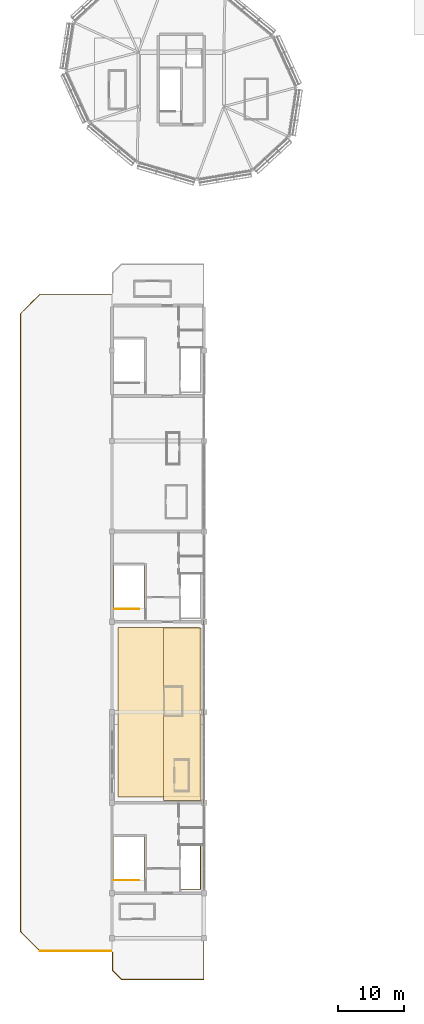
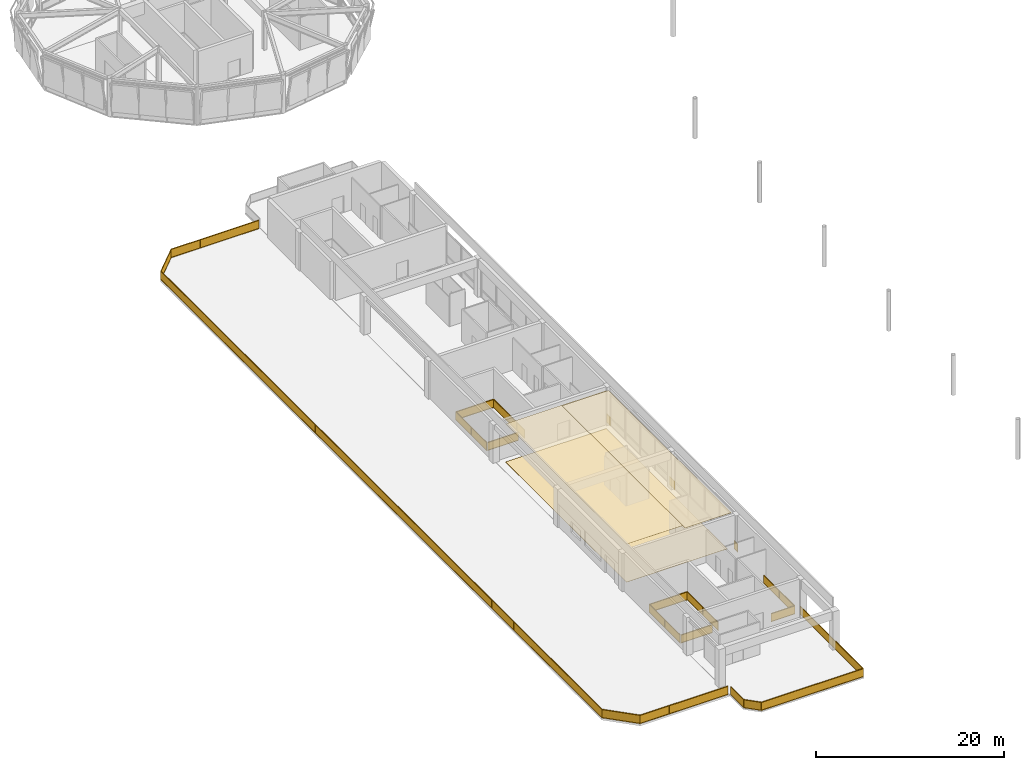
# One storey, part 106 of 113: 12 railings, 3 coverings.
"""IFC4 building model written with IfcOpenShell, lengths in metres."""

from ifc_helpers import new_model, si_unit, direction, frame, origin, origin_2d, place, context, subcontext, project, spatial, polyline, rectangle, outline, extrude, material, layer, layer_set, type_object, element, save


model = new_model("IFC4")

# Units and contexts
model_context = context("Model", 3, precision=1e-05, world=origin(), true_north=direction((0.0, 1.0)))
body_context = subcontext(model_context, "Body", "Model", "MODEL_VIEW")
ifc_project = project(units=[si_unit("LENGTHUNIT", "METRE"), si_unit("AREAUNIT", "SQUARE_METRE"), si_unit("VOLUMEUNIT", "CUBIC_METRE"), si_unit("PLANEANGLEUNIT", "RADIAN"), si_unit("MASSUNIT", "GRAM", prefix="KILO")], contexts=[model_context])

# Site, building, storey
site_placement = place(None, origin())
site = spatial("IfcSite", under=ifc_project, at=site_placement, CompositionType="ELEMENT")
building_placement = place(site_placement, origin())
building = spatial("IfcBuilding", under=site, at=building_placement, Name="Linyun Crest Stadium", CompositionType="ELEMENT")
storey_placement = place(building_placement, frame((0.0, 0.0, 26.39990234375)))
storey = spatial("IfcBuildingStorey", under=building, at=storey_placement, Name="L06", CompositionType="ELEMENT", Elevation=26.39990234375)

# Coverings
ifc_material_1 = material(Name="Perforated acoustic mineral-fibre ceiling")
ifc_layer_1 = layer(ifc_material_1, 0.02490234375)
ifc_layer_set_1 = layer_set([ifc_layer_1], Name="Perforated acoustic mineral-fibre ceiling")
covering_type_1 = type_object("IfcCoveringType", Name="CLG01", PredefinedType="CEILING", material=ifc_layer_set_1)
covering_1_placement = place(storey_placement, frame((0.0, 0.0, 4.940185546875)))
element("IfcCovering", 1, at=covering_1_placement, inside=storey, type_object=covering_type_1, Name="Suspended acoustic ceiling CLG01 56", PredefinedType="CEILING", context=body_context, shape_type="SweptSolid", body=[
    extrude(outline(polyline([(-83.10009765625, -24.5), (-70.699951171875, -24.5), (-70.699951171875, 1.300048828125), (-83.10009765625, 1.300048828125), (-83.10009765625, -24.5)])), origin(), (0.0, 0.0, 1.0), 0.02490234375),
])
ifc_material_2 = material(Name="Anodized aluminium baffle acoustic ceiling", Category="aluminium")
ifc_layer_2 = layer(ifc_material_2, 0.030029296875)
ifc_layer_set_2 = layer_set([ifc_layer_2], Name="Anodized aluminium baffle acoustic ceiling")
covering_type_2 = type_object("IfcCoveringType", Name="CLG02", PredefinedType="CEILING", material=ifc_layer_set_2)
covering_2_placement = place(storey_placement, frame((0.0, 0.0, 4.93505859375)))
element("IfcCovering", 2, at=covering_2_placement, inside=storey, type_object=covering_type_2, Name="Suspended acoustic ceiling CLG02 59", PredefinedType="CEILING", context=body_context, shape_type="SweptSolid", body=[
    extrude(outline(polyline([(-76.199951171875, -25.0048828125), (-70.5, -25.0048828125), (-70.5, 1.199951171875), (-76.199951171875, 1.199951171875), (-76.199951171875, -25.0048828125)])), origin(), (0.0, 0.0, 1.0), 0.030029296875),
])
ifc_material_3 = material(Name="Terrazzo concourse and hospitality floor finish")
ifc_layer_3 = layer(ifc_material_3, 0.02197265625)
ifc_layer_set_3 = layer_set([ifc_layer_3], Name="Terrazzo concourse and hospitality floor finish")
covering_type_3 = type_object("IfcCoveringType", Name="FLR02", PredefinedType="FLOORING", material=ifc_layer_set_3)
covering_3_placement = place(storey_placement, origin())
element("IfcCovering", 3, at=covering_3_placement, inside=storey, type_object=covering_type_3, Name="Terrazzo flooring FLR02 55", PredefinedType="FLOORING", context=body_context, shape_type="SweptSolid", body=[
    extrude(outline(polyline([(-83.10009765625, -24.5), (-70.699951171875, -24.5), (-70.699951171875, 1.300048828125), (-83.10009765625, 1.300048828125), (-83.10009765625, -24.5)])), origin(), (0.0, 0.0, 1.0), 0.022216796875),
])

# Railings
ifc_material_4 = material(Name="Verdigris painted steel botanical balustrade", Category="steel")
railing_type_1 = type_object("IfcRailingType", Name="GR01", PredefinedType="BALUSTRADE", material=ifc_material_4)
railing_1_placement = place(storey_placement, frame((-94.97509765625, -47.93994140625, 0.0)))
element("IfcRailing", 4, at=railing_1_placement, inside=storey, type_object=railing_type_1, Name="Slab edge balustrade GR01 98", PredefinedType="BALUSTRADE", context=body_context, shape_type="SweptSolid", body=[
    extrude(rectangle(XDim=0.06005859375, YDim=0.06005859375, at=origin_2d()), frame((0.0, 0.0, 1.119873046875), z_axis=(-0.707106781187, 0.707106781187, 0.0), x_axis=(-0.707106781187, -0.707106781187, 0.0)), (0.0, 0.0, 1.0), 4.19287109375),
    extrude(rectangle(XDim=0.030029296875, YDim=1.02978515625, at=origin_2d()), frame((0.0, 0.0, 0.574951171875), z_axis=(-0.707106781187, 0.707106781187, 0.0), x_axis=(-0.707106781187, -0.707106781187, 0.0)), (0.0, 0.0, 1.0), 4.19287109375),
    extrude(rectangle(XDim=0.06005859375, YDim=0.06005859375, at=origin_2d()), frame((0.0, 0.0, 0.030029296875), z_axis=(-0.707106781187, 0.707106781187, 0.0), x_axis=(-0.707106781187, -0.707106781187, 0.0)), (0.0, 0.0, 1.0), 4.19287109375),
    extrude(rectangle(XDim=0.06005859375, YDim=0.06005859375, at=origin_2d()), frame((-2.96484375, 2.96484375, 1.119873046875), z_axis=(0.0, 1.0, 0.0), x_axis=(-1.0, 0.0, 0.0)), (0.0, 0.0, 1.0), 93.9501953125),
    extrude(rectangle(XDim=0.030029296875, YDim=1.02978515625, at=origin_2d()), frame((-2.96484375, 2.96484375, 0.574951171875), z_axis=(0.0, 1.0, 0.0), x_axis=(-1.0, 0.0, 0.0)), (0.0, 0.0, 1.0), 93.9501953125),
    extrude(rectangle(XDim=0.06005859375, YDim=0.06005859375, at=origin_2d()), frame((-2.96484375, 2.96484375, 0.030029296875), z_axis=(0.0, 1.0, 0.0), x_axis=(-1.0, 0.0, 0.0)), (0.0, 0.0, 1.0), 93.9501953125),
    extrude(rectangle(XDim=0.06005859375, YDim=0.06005859375, at=origin_2d()), frame((-2.96484375, 96.9150390625, 1.119873046875), z_axis=(0.707106781187, 0.707106781187, 0.0), x_axis=(-0.707106781187, 0.707106781187, 0.0)), (0.0, 0.0, 1.0), 4.19287109375),
    extrude(rectangle(XDim=0.030029296875, YDim=1.02978515625, at=origin_2d()), frame((-2.96484375, 96.9150390625, 0.574951171875), z_axis=(0.707106781187, 0.707106781187, 0.0), x_axis=(-0.707106781187, 0.707106781187, 0.0)), (0.0, 0.0, 1.0), 4.19287109375),
    extrude(rectangle(XDim=0.06005859375, YDim=0.06005859375, at=origin_2d()), frame((-2.96484375, 96.9150390625, 0.030029296875), z_axis=(0.707106781187, 0.707106781187, 0.0), x_axis=(-0.707106781187, 0.707106781187, 0.0)), (0.0, 0.0, 1.0), 4.19287109375),
    extrude(rectangle(XDim=0.06005859375, YDim=0.06005859375, at=origin_2d()), frame((0.0, 99.8798828125, 1.119873046875), z_axis=(1.0, 0.0, 0.0), x_axis=(0.0, 1.0, 0.0)), (0.0, 0.0, 1.0), 10.795166015625),
    extrude(rectangle(XDim=0.030029296875, YDim=1.02978515625, at=origin_2d()), frame((0.0, 99.8798828125, 0.574951171875), z_axis=(1.0, 0.0, 0.0), x_axis=(0.0, 1.0, 0.0)), (0.0, 0.0, 1.0), 10.795166015625),
    extrude(rectangle(XDim=0.06005859375, YDim=0.06005859375, at=origin_2d()), frame((0.0, 99.8798828125, 0.030029296875), z_axis=(1.0, 0.0, 0.0), x_axis=(0.0, 1.0, 0.0)), (0.0, 0.0, 1.0), 10.795166015625),
    extrude(rectangle(XDim=0.050048828125, YDim=0.050048828125, at=origin_2d()), origin(), (0.0, 0.0, 1.0), 1.14990234375),
    extrude(rectangle(XDim=0.050048828125, YDim=0.050048828125, at=origin_2d()), frame((-2.96484375, 2.96484375, 0.0)), (0.0, 0.0, 1.0), 1.14990234375),
    extrude(rectangle(XDim=0.050048828125, YDim=0.050048828125, at=origin_2d()), frame((-2.96484375, 7.662353515625, 0.0)), (0.0, 0.0, 1.0), 1.14990234375),
    extrude(rectangle(XDim=0.050048828125, YDim=0.050048828125, at=origin_2d()), frame((-2.96484375, 12.35986328125, 0.0)), (0.0, 0.0, 1.0), 1.14990234375),
    extrude(rectangle(XDim=0.050048828125, YDim=0.050048828125, at=origin_2d()), frame((-2.96484375, 17.057373046875, 0.0)), (0.0, 0.0, 1.0), 1.14990234375),
    extrude(rectangle(XDim=0.050048828125, YDim=0.050048828125, at=origin_2d()), frame((-2.96484375, 21.7548828125, 0.0)), (0.0, 0.0, 1.0), 1.14990234375),
    extrude(rectangle(XDim=0.050048828125, YDim=0.050048828125, at=origin_2d()), frame((-2.96484375, 26.452392578125, 0.0)), (0.0, 0.0, 1.0), 1.14990234375),
    extrude(rectangle(XDim=0.050048828125, YDim=0.050048828125, at=origin_2d()), frame((-2.96484375, 31.14990234375, 0.0)), (0.0, 0.0, 1.0), 1.14990234375),
    extrude(rectangle(XDim=0.050048828125, YDim=0.050048828125, at=origin_2d()), frame((-2.96484375, 35.847412109375, 0.0)), (0.0, 0.0, 1.0), 1.14990234375),
    extrude(rectangle(XDim=0.050048828125, YDim=0.050048828125, at=origin_2d()), frame((-2.96484375, 40.544921875, 0.0)), (0.0, 0.0, 1.0), 1.14990234375),
    extrude(rectangle(XDim=0.050048828125, YDim=0.050048828125, at=origin_2d()), frame((-2.96484375, 45.242431640625, 0.0)), (0.0, 0.0, 1.0), 1.14990234375),
    extrude(rectangle(XDim=0.050048828125, YDim=0.050048828125, at=origin_2d()), frame((-2.96484375, 49.93994140625, 0.0)), (0.0, 0.0, 1.0), 1.14990234375),
    extrude(rectangle(XDim=0.050048828125, YDim=0.050048828125, at=origin_2d()), frame((-2.96484375, 54.637451171875, 0.0)), (0.0, 0.0, 1.0), 1.14990234375),
    extrude(rectangle(XDim=0.050048828125, YDim=0.050048828125, at=origin_2d()), frame((-2.96484375, 59.3349609375, 0.0)), (0.0, 0.0, 1.0), 1.14990234375),
    extrude(rectangle(XDim=0.050048828125, YDim=0.050048828125, at=origin_2d()), frame((-2.96484375, 64.032470703125, 0.0)), (0.0, 0.0, 1.0), 1.14990234375),
    extrude(rectangle(XDim=0.050048828125, YDim=0.050048828125, at=origin_2d()), frame((-2.96484375, 68.72998046875, 0.0)), (0.0, 0.0, 1.0), 1.14990234375),
    extrude(rectangle(XDim=0.050048828125, YDim=0.050048828125, at=origin_2d()), frame((-2.96484375, 73.427490234375, 0.0)), (0.0, 0.0, 1.0), 1.14990234375),
    extrude(rectangle(XDim=0.050048828125, YDim=0.050048828125, at=origin_2d()), frame((-2.96484375, 78.125, 0.0)), (0.0, 0.0, 1.0), 1.14990234375),
    extrude(rectangle(XDim=0.050048828125, YDim=0.050048828125, at=origin_2d()), frame((-2.96484375, 82.822509765625, 0.0)), (0.0, 0.0, 1.0), 1.14990234375),
    extrude(rectangle(XDim=0.050048828125, YDim=0.050048828125, at=origin_2d()), frame((-2.96484375, 87.52001953125, 0.0)), (0.0, 0.0, 1.0), 1.14990234375),
    extrude(rectangle(XDim=0.050048828125, YDim=0.050048828125, at=origin_2d()), frame((-2.96484375, 92.217529296875, 0.0)), (0.0, 0.0, 1.0), 1.14990234375),
    extrude(rectangle(XDim=0.050048828125, YDim=0.050048828125, at=origin_2d()), frame((-2.96484375, 96.9150390625, 0.0)), (0.0, 0.0, 1.0), 1.14990234375),
    extrude(rectangle(XDim=0.050048828125, YDim=0.050048828125, at=origin_2d()), frame((0.0, 99.8798828125, 0.0)), (0.0, 0.0, 1.0), 1.14990234375),
    extrude(rectangle(XDim=0.050048828125, YDim=0.050048828125, at=origin_2d()), frame((3.598388671875, 99.8798828125, 0.0)), (0.0, 0.0, 1.0), 1.14990234375),
    extrude(rectangle(XDim=0.050048828125, YDim=0.050048828125, at=origin_2d()), frame((7.19677734375, 99.8798828125, 0.0)), (0.0, 0.0, 1.0), 1.14990234375),
    extrude(rectangle(XDim=0.050048828125, YDim=0.050048828125, at=origin_2d()), frame((10.795166015625, 99.8798828125, 0.0)), (0.0, 0.0, 1.0), 1.14990234375),
])
railing_2_placement = place(storey_placement, frame((-84.179931640625, -47.93994140625, 0.0)))
element("IfcRailing", 5, at=railing_2_placement, inside=storey, type_object=railing_type_1, Name="Slab edge balustrade GR01 99", PredefinedType="BALUSTRADE", context=body_context, shape_type="SweptSolid", body=[
    extrude(rectangle(XDim=0.06005859375, YDim=0.06005859375, at=origin_2d()), frame((0.0, 0.0, 1.119873046875), z_axis=(-1.0, 0.0, 0.0), x_axis=(0.0, -1.0, 0.0)), (0.0, 0.0, 1.0), 10.795166015625),
    extrude(rectangle(XDim=0.030029296875, YDim=1.02978515625, at=origin_2d()), frame((0.0, 0.0, 0.574951171875), z_axis=(-1.0, 0.0, 0.0), x_axis=(0.0, -1.0, 0.0)), (0.0, 0.0, 1.0), 10.795166015625),
    extrude(rectangle(XDim=0.06005859375, YDim=0.06005859375, at=origin_2d()), frame((0.0, 0.0, 0.030029296875), z_axis=(-1.0, 0.0, 0.0), x_axis=(0.0, -1.0, 0.0)), (0.0, 0.0, 1.0), 10.795166015625),
    extrude(rectangle(XDim=0.050048828125, YDim=0.050048828125, at=origin_2d()), origin(), (0.0, 0.0, 1.0), 1.14990234375),
    extrude(rectangle(XDim=0.050048828125, YDim=0.050048828125, at=origin_2d()), frame((-3.598388671875, 0.0, 0.0)), (0.0, 0.0, 1.0), 1.14990234375),
    extrude(rectangle(XDim=0.050048828125, YDim=0.050048828125, at=origin_2d()), frame((-7.19677734375, 0.0, 0.0)), (0.0, 0.0, 1.0), 1.14990234375),
    extrude(rectangle(XDim=0.050048828125, YDim=0.050048828125, at=origin_2d()), frame((-10.795166015625, 0.0, 0.0)), (0.0, 0.0, 1.0), 1.14990234375),
])
ifc_material_5 = material(Name="Galvanized and powder-coated steel bowl safety barrier", Category="steel")
railing_type_2 = type_object("IfcRailingType", Name="GR02", PredefinedType="GUARDRAIL", material=ifc_material_5)
railing_3_placement = place(storey_placement, frame((-82.574951171875, -52.27490234375, 0.0)))
element("IfcRailing", 6, at=railing_3_placement, inside=storey, type_object=railing_type_2, Name="Slab edge balustrade GR02 83", PredefinedType="GUARDRAIL", context=body_context, shape_type="SweptSolid", body=[
    extrude(rectangle(XDim=0.06005859375, YDim=0.06005859375, at=origin_2d()), frame((0.0, 0.0, 1.090087890625), z_axis=(-0.707106781187, 0.707106781187, 0.0), x_axis=(-0.707106781187, -0.707106781187, 0.0)), (0.0, 0.0, 1.0), 1.930419921875),
    extrude(rectangle(XDim=0.030029296875, YDim=1.0, at=origin_2d()), frame((0.0, 0.0, 0.56005859375), z_axis=(-0.707106781187, 0.707106781187, 0.0), x_axis=(-0.707106781187, -0.707106781187, 0.0)), (0.0, 0.0, 1.0), 1.930419921875),
    extrude(rectangle(XDim=0.06005859375, YDim=0.06005859375, at=origin_2d()), frame((0.0, 0.0, 0.030029296875), z_axis=(-0.707106781187, 0.707106781187, 0.0), x_axis=(-0.707106781187, -0.707106781187, 0.0)), (0.0, 0.0, 1.0), 1.930419921875),
    extrude(rectangle(XDim=0.06005859375, YDim=0.06005859375, at=origin_2d()), frame((-1.364990234375, 1.364990234375, 1.090087890625), z_axis=(0.0, 1.0, 0.0), x_axis=(-1.0, 0.0, 0.0)), (0.0, 0.0, 1.0), 2.7490234375),
    extrude(rectangle(XDim=0.030029296875, YDim=1.0, at=origin_2d()), frame((-1.364990234375, 1.364990234375, 0.56005859375), z_axis=(0.0, 1.0, 0.0), x_axis=(-1.0, 0.0, 0.0)), (0.0, 0.0, 1.0), 2.7490234375),
    extrude(rectangle(XDim=0.06005859375, YDim=0.06005859375, at=origin_2d()), frame((-1.364990234375, 1.364990234375, 0.030029296875), z_axis=(0.0, 1.0, 0.0), x_axis=(-1.0, 0.0, 0.0)), (0.0, 0.0, 1.0), 2.7490234375),
    extrude(rectangle(XDim=0.050048828125, YDim=0.050048828125, at=origin_2d()), origin(), (0.0, 0.0, 1.0), 1.1201171875),
    extrude(rectangle(XDim=0.050048828125, YDim=0.050048828125, at=origin_2d()), frame((-1.364990234375, 1.364990234375, 0.0)), (0.0, 0.0, 1.0), 1.1201171875),
    extrude(rectangle(XDim=0.050048828125, YDim=0.050048828125, at=origin_2d()), frame((-1.364990234375, 4.114013671875, 0.0)), (0.0, 0.0, 1.0), 1.1201171875),
])
railing_4_placement = place(storey_placement, frame((-70.06005859375, -24.824951171875, 0.0)))
element("IfcRailing", 7, at=railing_4_placement, inside=storey, type_object=railing_type_2, Name="Slab edge balustrade GR02 84", PredefinedType="GUARDRAIL", context=body_context, shape_type="SweptSolid", body=[
    extrude(rectangle(XDim=0.06005859375, YDim=0.06005859375, at=origin_2d()), frame((0.0, 0.0, 1.090087890625), z_axis=(0.0, -1.0, 0.0), x_axis=(1.0, 0.0, 0.0)), (0.0, 0.0, 1.0), 0.72509765625),
    extrude(rectangle(XDim=0.030029296875, YDim=1.0, at=origin_2d()), frame((0.0, 0.0, 0.56005859375), z_axis=(0.0, -1.0, 0.0), x_axis=(1.0, 0.0, 0.0)), (0.0, 0.0, 1.0), 0.72509765625),
    extrude(rectangle(XDim=0.06005859375, YDim=0.06005859375, at=origin_2d()), frame((0.0, 0.0, 0.030029296875), z_axis=(0.0, -1.0, 0.0), x_axis=(1.0, 0.0, 0.0)), (0.0, 0.0, 1.0), 0.72509765625),
    extrude(rectangle(XDim=0.050048828125, YDim=0.050048828125, at=origin_2d()), origin(), (0.0, 0.0, 1.0), 1.1201171875),
    extrude(rectangle(XDim=0.050048828125, YDim=0.050048828125, at=origin_2d()), frame((0.0, -0.72509765625, 0.0)), (0.0, 0.0, 1.0), 1.1201171875),
])
railing_5_placement = place(storey_placement, frame((-70.06005859375, -38.949951171875, 0.0)))
element("IfcRailing", 8, at=railing_5_placement, inside=storey, type_object=railing_type_2, Name="Slab edge balustrade GR02 85", PredefinedType="GUARDRAIL", context=body_context, shape_type="SweptSolid", body=[
    extrude(rectangle(XDim=0.06005859375, YDim=0.06005859375, at=origin_2d()), frame((0.0, 0.0, 1.090087890625), z_axis=(0.0, -1.0, 0.0), x_axis=(1.0, 0.0, 0.0)), (0.0, 0.0, 1.0), 13.324951171875),
    extrude(rectangle(XDim=0.030029296875, YDim=1.0, at=origin_2d()), frame((0.0, 0.0, 0.56005859375), z_axis=(0.0, -1.0, 0.0), x_axis=(1.0, 0.0, 0.0)), (0.0, 0.0, 1.0), 13.324951171875),
    extrude(rectangle(XDim=0.06005859375, YDim=0.06005859375, at=origin_2d()), frame((0.0, 0.0, 0.030029296875), z_axis=(0.0, -1.0, 0.0), x_axis=(1.0, 0.0, 0.0)), (0.0, 0.0, 1.0), 13.324951171875),
    extrude(rectangle(XDim=0.06005859375, YDim=0.06005859375, at=origin_2d()), frame((0.0, -13.324951171875, 1.090087890625), z_axis=(-1.0, 0.0, 0.0), x_axis=(0.0, -1.0, 0.0)), (0.0, 0.0, 1.0), 12.514892578125),
    extrude(rectangle(XDim=0.030029296875, YDim=1.0, at=origin_2d()), frame((0.0, -13.324951171875, 0.56005859375), z_axis=(-1.0, 0.0, 0.0), x_axis=(0.0, -1.0, 0.0)), (0.0, 0.0, 1.0), 12.514892578125),
    extrude(rectangle(XDim=0.06005859375, YDim=0.06005859375, at=origin_2d()), frame((0.0, -13.324951171875, 0.030029296875), z_axis=(-1.0, 0.0, 0.0), x_axis=(0.0, -1.0, 0.0)), (0.0, 0.0, 1.0), 12.514892578125),
    extrude(rectangle(XDim=0.050048828125, YDim=0.050048828125, at=origin_2d()), origin(), (0.0, 0.0, 1.0), 1.1201171875),
    extrude(rectangle(XDim=0.050048828125, YDim=0.050048828125, at=origin_2d()), frame((0.0, -4.441650390625, 0.0)), (0.0, 0.0, 1.0), 1.1201171875),
    extrude(rectangle(XDim=0.050048828125, YDim=0.050048828125, at=origin_2d()), frame((0.0, -8.88330078125, 0.0)), (0.0, 0.0, 1.0), 1.1201171875),
    extrude(rectangle(XDim=0.050048828125, YDim=0.050048828125, at=origin_2d()), frame((0.0, -13.324951171875, 0.0)), (0.0, 0.0, 1.0), 1.1201171875),
    extrude(rectangle(XDim=0.050048828125, YDim=0.050048828125, at=origin_2d()), frame((-4.171630859375, -13.324951171875, 0.0)), (0.0, 0.0, 1.0), 1.1201171875),
    extrude(rectangle(XDim=0.050048828125, YDim=0.050048828125, at=origin_2d()), frame((-8.34326171875, -13.324951171875, 0.0)), (0.0, 0.0, 1.0), 1.1201171875),
    extrude(rectangle(XDim=0.050048828125, YDim=0.050048828125, at=origin_2d()), frame((-12.514892578125, -13.324951171875, 0.0)), (0.0, 0.0, 1.0), 1.1201171875),
])
railing_6_placement = place(storey_placement, frame((-73.419921875, -38.534912109375, 0.0)))
element("IfcRailing", 9, at=railing_6_placement, inside=storey, type_object=railing_type_2, Name="Slab edge balustrade GR02 86", PredefinedType="GUARDRAIL", context=body_context, shape_type="SweptSolid", body=[
    extrude(rectangle(XDim=0.06005859375, YDim=0.06005859375, at=origin_2d()), frame((0.0, 0.0, 1.090087890625), z_axis=(1.0, 0.0, 0.0), x_axis=(0.0, 1.0, 0.0)), (0.0, 0.0, 1.0), 2.8798828125),
    extrude(rectangle(XDim=0.030029296875, YDim=1.0, at=origin_2d()), frame((0.0, 0.0, 0.56005859375), z_axis=(1.0, 0.0, 0.0), x_axis=(0.0, 1.0, 0.0)), (0.0, 0.0, 1.0), 2.8798828125),
    extrude(rectangle(XDim=0.06005859375, YDim=0.06005859375, at=origin_2d()), frame((0.0, 0.0, 0.030029296875), z_axis=(1.0, 0.0, 0.0), x_axis=(0.0, 1.0, 0.0)), (0.0, 0.0, 1.0), 2.8798828125),
    extrude(rectangle(XDim=0.06005859375, YDim=0.06005859375, at=origin_2d()), frame((2.8798828125, 0.0, 1.090087890625), z_axis=(0.0, 1.0, 0.0), x_axis=(-1.0, 0.0, 0.0)), (0.0, 0.0, 1.0), 6.5498046875),
    extrude(rectangle(XDim=0.030029296875, YDim=1.0, at=origin_2d()), frame((2.8798828125, 0.0, 0.56005859375), z_axis=(0.0, 1.0, 0.0), x_axis=(-1.0, 0.0, 0.0)), (0.0, 0.0, 1.0), 6.5498046875),
    extrude(rectangle(XDim=0.06005859375, YDim=0.06005859375, at=origin_2d()), frame((2.8798828125, 0.0, 0.030029296875), z_axis=(0.0, 1.0, 0.0), x_axis=(-1.0, 0.0, 0.0)), (0.0, 0.0, 1.0), 6.5498046875),
    extrude(rectangle(XDim=0.050048828125, YDim=0.050048828125, at=origin_2d()), origin(), (0.0, 0.0, 1.0), 1.1201171875),
    extrude(rectangle(XDim=0.050048828125, YDim=0.050048828125, at=origin_2d()), frame((2.8798828125, 0.0, 0.0)), (0.0, 0.0, 1.0), 1.1201171875),
    extrude(rectangle(XDim=0.050048828125, YDim=0.050048828125, at=origin_2d()), frame((2.8798828125, 3.27490234375, 0.0)), (0.0, 0.0, 1.0), 1.1201171875),
    extrude(rectangle(XDim=0.050048828125, YDim=0.050048828125, at=origin_2d()), frame((2.8798828125, 6.5498046875, 0.0)), (0.0, 0.0, 1.0), 1.1201171875),
])
railing_7_placement = place(storey_placement, frame((-83.68505859375, -37.1650390625, 0.0)))
element("IfcRailing", 10, at=railing_7_placement, inside=storey, type_object=railing_type_2, Name="Slab edge balustrade GR02 87", PredefinedType="GUARDRAIL", context=body_context, shape_type="SweptSolid", body=[
    extrude(rectangle(XDim=0.06005859375, YDim=0.06005859375, at=origin_2d()), frame((0.0, 0.0, 1.090087890625), z_axis=(1.0, 0.0, 0.0), x_axis=(0.0, 1.0, 0.0)), (0.0, 0.0, 1.0), 3.78515625),
    extrude(rectangle(XDim=0.030029296875, YDim=1.0, at=origin_2d()), frame((0.0, 0.0, 0.56005859375), z_axis=(1.0, 0.0, 0.0), x_axis=(0.0, 1.0, 0.0)), (0.0, 0.0, 1.0), 3.78515625),
    extrude(rectangle(XDim=0.06005859375, YDim=0.06005859375, at=origin_2d()), frame((0.0, 0.0, 0.030029296875), z_axis=(1.0, 0.0, 0.0), x_axis=(0.0, 1.0, 0.0)), (0.0, 0.0, 1.0), 3.78515625),
    extrude(rectangle(XDim=0.050048828125, YDim=0.050048828125, at=origin_2d()), origin(), (0.0, 0.0, 1.0), 1.1201171875),
    extrude(rectangle(XDim=0.050048828125, YDim=0.050048828125, at=origin_2d()), frame((3.78515625, 0.0, 0.0)), (0.0, 0.0, 1.0), 1.1201171875),
])
railing_8_placement = place(storey_placement, frame((-70.06005859375, 2.324951171875, 0.0)))
element("IfcRailing", 11, at=railing_8_placement, inside=storey, type_object=railing_type_2, Name="Slab edge balustrade GR02 91", PredefinedType="GUARDRAIL", context=body_context, shape_type="SweptSolid", body=[
    extrude(rectangle(XDim=0.06005859375, YDim=0.06005859375, at=origin_2d()), frame((0.0, 0.0, 1.090087890625), z_axis=(0.0, -1.0, 0.0), x_axis=(1.0, 0.0, 0.0)), (0.0, 0.0, 1.0), 0.75),
    extrude(rectangle(XDim=0.030029296875, YDim=1.0, at=origin_2d()), frame((0.0, 0.0, 0.56005859375), z_axis=(0.0, -1.0, 0.0), x_axis=(1.0, 0.0, 0.0)), (0.0, 0.0, 1.0), 0.75),
    extrude(rectangle(XDim=0.06005859375, YDim=0.06005859375, at=origin_2d()), frame((0.0, 0.0, 0.030029296875), z_axis=(0.0, -1.0, 0.0), x_axis=(1.0, 0.0, 0.0)), (0.0, 0.0, 1.0), 0.75),
    extrude(rectangle(XDim=0.050048828125, YDim=0.050048828125, at=origin_2d()), origin(), (0.0, 0.0, 1.0), 1.1201171875),
    extrude(rectangle(XDim=0.050048828125, YDim=0.050048828125, at=origin_2d()), frame((0.0, -0.75, 0.0)), (0.0, 0.0, 1.0), 1.1201171875),
])
railing_9_placement = place(storey_placement, frame((-70.06005859375, -11.074951171875, 0.0)))
element("IfcRailing", 12, at=railing_9_placement, inside=storey, type_object=railing_type_2, Name="Slab edge balustrade GR02 92", PredefinedType="GUARDRAIL", context=body_context, shape_type="SweptSolid", body=[
    extrude(rectangle(XDim=0.06005859375, YDim=0.06005859375, at=origin_2d()), frame((0.0, 0.0, 1.090087890625), z_axis=(0.0, -1.0, 0.0), x_axis=(1.0, 0.0, 0.0)), (0.0, 0.0, 1.0), 1.10009765625),
    extrude(rectangle(XDim=0.030029296875, YDim=1.0, at=origin_2d()), frame((0.0, 0.0, 0.56005859375), z_axis=(0.0, -1.0, 0.0), x_axis=(1.0, 0.0, 0.0)), (0.0, 0.0, 1.0), 1.10009765625),
    extrude(rectangle(XDim=0.06005859375, YDim=0.06005859375, at=origin_2d()), frame((0.0, 0.0, 0.030029296875), z_axis=(0.0, -1.0, 0.0), x_axis=(1.0, 0.0, 0.0)), (0.0, 0.0, 1.0), 1.10009765625),
    extrude(rectangle(XDim=0.050048828125, YDim=0.050048828125, at=origin_2d()), origin(), (0.0, 0.0, 1.0), 1.1201171875),
    extrude(rectangle(XDim=0.050048828125, YDim=0.050048828125, at=origin_2d()), frame((0.0, -1.10009765625, 0.0)), (0.0, 0.0, 1.0), 1.1201171875),
])
railing_10_placement = place(storey_placement, frame((-83.659912109375, 4.0849609375, 0.0)))
element("IfcRailing", 13, at=railing_10_placement, inside=storey, type_object=railing_type_2, Name="Slab edge balustrade GR02 95", PredefinedType="GUARDRAIL", context=body_context, shape_type="SweptSolid", body=[
    extrude(rectangle(XDim=0.06005859375, YDim=0.06005859375, at=origin_2d()), frame((0.0, 0.0, 1.090087890625), z_axis=(1.0, 0.0, 0.0), x_axis=(0.0, 1.0, 0.0)), (0.0, 0.0, 1.0), 3.760009765625),
    extrude(rectangle(XDim=0.030029296875, YDim=1.0, at=origin_2d()), frame((0.0, 0.0, 0.56005859375), z_axis=(1.0, 0.0, 0.0), x_axis=(0.0, 1.0, 0.0)), (0.0, 0.0, 1.0), 3.760009765625),
    extrude(rectangle(XDim=0.06005859375, YDim=0.06005859375, at=origin_2d()), frame((0.0, 0.0, 0.030029296875), z_axis=(1.0, 0.0, 0.0), x_axis=(0.0, 1.0, 0.0)), (0.0, 0.0, 1.0), 3.760009765625),
    extrude(rectangle(XDim=0.050048828125, YDim=0.050048828125, at=origin_2d()), origin(), (0.0, 0.0, 1.0), 1.1201171875),
    extrude(rectangle(XDim=0.050048828125, YDim=0.050048828125, at=origin_2d()), frame((3.760009765625, 0.0, 0.0)), (0.0, 0.0, 1.0), 1.1201171875),
])
ifc_material_6 = material(Name="Painted steel stairwell safety guard", Category="steel")
railing_type_3 = type_object("IfcRailingType", Name="GR03", PredefinedType="GUARDRAIL", material=ifc_material_6)
railing_11_placement = place(storey_placement, frame((-83.794921875, -37.125, 0.0)))
element("IfcRailing", 14, at=railing_11_placement, inside=storey, type_object=railing_type_3, Name="STR-01-L05 top well guard", PredefinedType="GUARDRAIL", context=body_context, shape_type="SweptSolid", body=[
    extrude(rectangle(XDim=0.06005859375, YDim=0.06005859375, at=origin_2d()), frame((0.0, 0.0, 1.090087890625), z_axis=(0.0, 1.0, 0.0), x_axis=(-1.0, 0.0, 0.0)), (0.0, 0.0, 1.0), 6.570068359375),
    extrude(rectangle(XDim=0.030029296875, YDim=1.0, at=origin_2d()), frame((0.0, 0.0, 0.56005859375), z_axis=(0.0, 1.0, 0.0), x_axis=(-1.0, 0.0, 0.0)), (0.0, 0.0, 1.0), 6.570068359375),
    extrude(rectangle(XDim=0.06005859375, YDim=0.06005859375, at=origin_2d()), frame((0.0, 0.0, 0.030029296875), z_axis=(0.0, 1.0, 0.0), x_axis=(-1.0, 0.0, 0.0)), (0.0, 0.0, 1.0), 6.570068359375),
    extrude(rectangle(XDim=0.06005859375, YDim=0.06005859375, at=origin_2d()), frame((0.0, 6.570068359375, 1.090087890625), z_axis=(1.0, 0.0, 0.0), x_axis=(0.0, 1.0, 0.0)), (0.0, 0.0, 1.0), 4.6650390625),
    extrude(rectangle(XDim=0.030029296875, YDim=1.0, at=origin_2d()), frame((0.0, 6.570068359375, 0.56005859375), z_axis=(1.0, 0.0, 0.0), x_axis=(0.0, 1.0, 0.0)), (0.0, 0.0, 1.0), 4.6650390625),
    extrude(rectangle(XDim=0.06005859375, YDim=0.06005859375, at=origin_2d()), frame((0.0, 6.570068359375, 0.030029296875), z_axis=(1.0, 0.0, 0.0), x_axis=(0.0, 1.0, 0.0)), (0.0, 0.0, 1.0), 4.6650390625),
    extrude(rectangle(XDim=0.06005859375, YDim=0.06005859375, at=origin_2d()), frame((4.6650390625, 6.570068359375, 1.090087890625), z_axis=(0.0, -1.0, 0.0), x_axis=(1.0, 0.0, 0.0)), (0.0, 0.0, 1.0), 6.570068359375),
    extrude(rectangle(XDim=0.030029296875, YDim=1.0, at=origin_2d()), frame((4.6650390625, 6.570068359375, 0.56005859375), z_axis=(0.0, -1.0, 0.0), x_axis=(1.0, 0.0, 0.0)), (0.0, 0.0, 1.0), 6.570068359375),
    extrude(rectangle(XDim=0.06005859375, YDim=0.06005859375, at=origin_2d()), frame((4.6650390625, 6.570068359375, 0.030029296875), z_axis=(0.0, -1.0, 0.0), x_axis=(1.0, 0.0, 0.0)), (0.0, 0.0, 1.0), 6.570068359375),
    extrude(rectangle(XDim=0.050048828125, YDim=0.050048828125, at=origin_2d()), origin(), (0.0, 0.0, 1.0), 1.1201171875),
    extrude(rectangle(XDim=0.050048828125, YDim=0.050048828125, at=origin_2d()), frame((0.0, 1.642578125, 0.0)), (0.0, 0.0, 1.0), 1.1201171875),
    extrude(rectangle(XDim=0.050048828125, YDim=0.050048828125, at=origin_2d()), frame((0.0, 3.28515625, 0.0)), (0.0, 0.0, 1.0), 1.1201171875),
    extrude(rectangle(XDim=0.050048828125, YDim=0.050048828125, at=origin_2d()), frame((0.0, 4.927490234375, 0.0)), (0.0, 0.0, 1.0), 1.1201171875),
    extrude(rectangle(XDim=0.050048828125, YDim=0.050048828125, at=origin_2d()), frame((0.0, 6.570068359375, 0.0)), (0.0, 0.0, 1.0), 1.1201171875),
    extrude(rectangle(XDim=0.050048828125, YDim=0.050048828125, at=origin_2d()), frame((1.554931640625, 6.570068359375, 0.0)), (0.0, 0.0, 1.0), 1.1201171875),
    extrude(rectangle(XDim=0.050048828125, YDim=0.050048828125, at=origin_2d()), frame((3.110107421875, 6.570068359375, 0.0)), (0.0, 0.0, 1.0), 1.1201171875),
    extrude(rectangle(XDim=0.050048828125, YDim=0.050048828125, at=origin_2d()), frame((4.6650390625, 6.570068359375, 0.0)), (0.0, 0.0, 1.0), 1.1201171875),
    extrude(rectangle(XDim=0.050048828125, YDim=0.050048828125, at=origin_2d()), frame((4.6650390625, 4.927490234375, 0.0)), (0.0, 0.0, 1.0), 1.1201171875),
    extrude(rectangle(XDim=0.050048828125, YDim=0.050048828125, at=origin_2d()), frame((4.6650390625, 3.28515625, 0.0)), (0.0, 0.0, 1.0), 1.1201171875),
    extrude(rectangle(XDim=0.050048828125, YDim=0.050048828125, at=origin_2d()), frame((4.6650390625, 1.642578125, 0.0)), (0.0, 0.0, 1.0), 1.1201171875),
    extrude(rectangle(XDim=0.050048828125, YDim=0.050048828125, at=origin_2d()), frame((4.6650390625, 0.0, 0.0)), (0.0, 0.0, 1.0), 1.1201171875),
])
railing_12_placement = place(storey_placement, frame((-83.77001953125, 4.125, 0.0)))
element("IfcRailing", 15, at=railing_12_placement, inside=storey, type_object=railing_type_3, Name="STR-02-L05 top well guard", PredefinedType="GUARDRAIL", context=body_context, shape_type="SweptSolid", body=[
    extrude(rectangle(XDim=0.06005859375, YDim=0.06005859375, at=origin_2d()), frame((0.0, 0.0, 1.090087890625), z_axis=(0.0, 1.0, 0.0), x_axis=(-1.0, 0.0, 0.0)), (0.0, 0.0, 1.0), 6.570068359375),
    extrude(rectangle(XDim=0.030029296875, YDim=1.0, at=origin_2d()), frame((0.0, 0.0, 0.56005859375), z_axis=(0.0, 1.0, 0.0), x_axis=(-1.0, 0.0, 0.0)), (0.0, 0.0, 1.0), 6.570068359375),
    extrude(rectangle(XDim=0.06005859375, YDim=0.06005859375, at=origin_2d()), frame((0.0, 0.0, 0.030029296875), z_axis=(0.0, 1.0, 0.0), x_axis=(-1.0, 0.0, 0.0)), (0.0, 0.0, 1.0), 6.570068359375),
    extrude(rectangle(XDim=0.06005859375, YDim=0.06005859375, at=origin_2d()), frame((0.0, 6.570068359375, 1.090087890625), z_axis=(1.0, 0.0, 0.0), x_axis=(0.0, 1.0, 0.0)), (0.0, 0.0, 1.0), 4.64013671875),
    extrude(rectangle(XDim=0.030029296875, YDim=1.0, at=origin_2d()), frame((0.0, 6.570068359375, 0.56005859375), z_axis=(1.0, 0.0, 0.0), x_axis=(0.0, 1.0, 0.0)), (0.0, 0.0, 1.0), 4.64013671875),
    extrude(rectangle(XDim=0.06005859375, YDim=0.06005859375, at=origin_2d()), frame((0.0, 6.570068359375, 0.030029296875), z_axis=(1.0, 0.0, 0.0), x_axis=(0.0, 1.0, 0.0)), (0.0, 0.0, 1.0), 4.64013671875),
    extrude(rectangle(XDim=0.06005859375, YDim=0.06005859375, at=origin_2d()), frame((4.64013671875, 6.570068359375, 1.090087890625), z_axis=(0.0, -1.0, 0.0), x_axis=(1.0, 0.0, 0.0)), (0.0, 0.0, 1.0), 6.570068359375),
    extrude(rectangle(XDim=0.030029296875, YDim=1.0, at=origin_2d()), frame((4.64013671875, 6.570068359375, 0.56005859375), z_axis=(0.0, -1.0, 0.0), x_axis=(1.0, 0.0, 0.0)), (0.0, 0.0, 1.0), 6.570068359375),
    extrude(rectangle(XDim=0.06005859375, YDim=0.06005859375, at=origin_2d()), frame((4.64013671875, 6.570068359375, 0.030029296875), z_axis=(0.0, -1.0, 0.0), x_axis=(1.0, 0.0, 0.0)), (0.0, 0.0, 1.0), 6.570068359375),
    extrude(rectangle(XDim=0.050048828125, YDim=0.050048828125, at=origin_2d()), origin(), (0.0, 0.0, 1.0), 1.1201171875),
    extrude(rectangle(XDim=0.050048828125, YDim=0.050048828125, at=origin_2d()), frame((0.0, 1.642578125, 0.0)), (0.0, 0.0, 1.0), 1.1201171875),
    extrude(rectangle(XDim=0.050048828125, YDim=0.050048828125, at=origin_2d()), frame((0.0, 3.28515625, 0.0)), (0.0, 0.0, 1.0), 1.1201171875),
    extrude(rectangle(XDim=0.050048828125, YDim=0.050048828125, at=origin_2d()), frame((0.0, 4.927490234375, 0.0)), (0.0, 0.0, 1.0), 1.1201171875),
    extrude(rectangle(XDim=0.050048828125, YDim=0.050048828125, at=origin_2d()), frame((0.0, 6.570068359375, 0.0)), (0.0, 0.0, 1.0), 1.1201171875),
    extrude(rectangle(XDim=0.050048828125, YDim=0.050048828125, at=origin_2d()), frame((1.546630859375, 6.570068359375, 0.0)), (0.0, 0.0, 1.0), 1.1201171875),
    extrude(rectangle(XDim=0.050048828125, YDim=0.050048828125, at=origin_2d()), frame((3.093505859375, 6.570068359375, 0.0)), (0.0, 0.0, 1.0), 1.1201171875),
    extrude(rectangle(XDim=0.050048828125, YDim=0.050048828125, at=origin_2d()), frame((4.64013671875, 6.570068359375, 0.0)), (0.0, 0.0, 1.0), 1.1201171875),
    extrude(rectangle(XDim=0.050048828125, YDim=0.050048828125, at=origin_2d()), frame((4.64013671875, 4.927490234375, 0.0)), (0.0, 0.0, 1.0), 1.1201171875),
    extrude(rectangle(XDim=0.050048828125, YDim=0.050048828125, at=origin_2d()), frame((4.64013671875, 3.28515625, 0.0)), (0.0, 0.0, 1.0), 1.1201171875),
    extrude(rectangle(XDim=0.050048828125, YDim=0.050048828125, at=origin_2d()), frame((4.64013671875, 1.642578125, 0.0)), (0.0, 0.0, 1.0), 1.1201171875),
    extrude(rectangle(XDim=0.050048828125, YDim=0.050048828125, at=origin_2d()), frame((4.64013671875, 0.0, 0.0)), (0.0, 0.0, 1.0), 1.1201171875),
])

save(model, "model.ifc")
